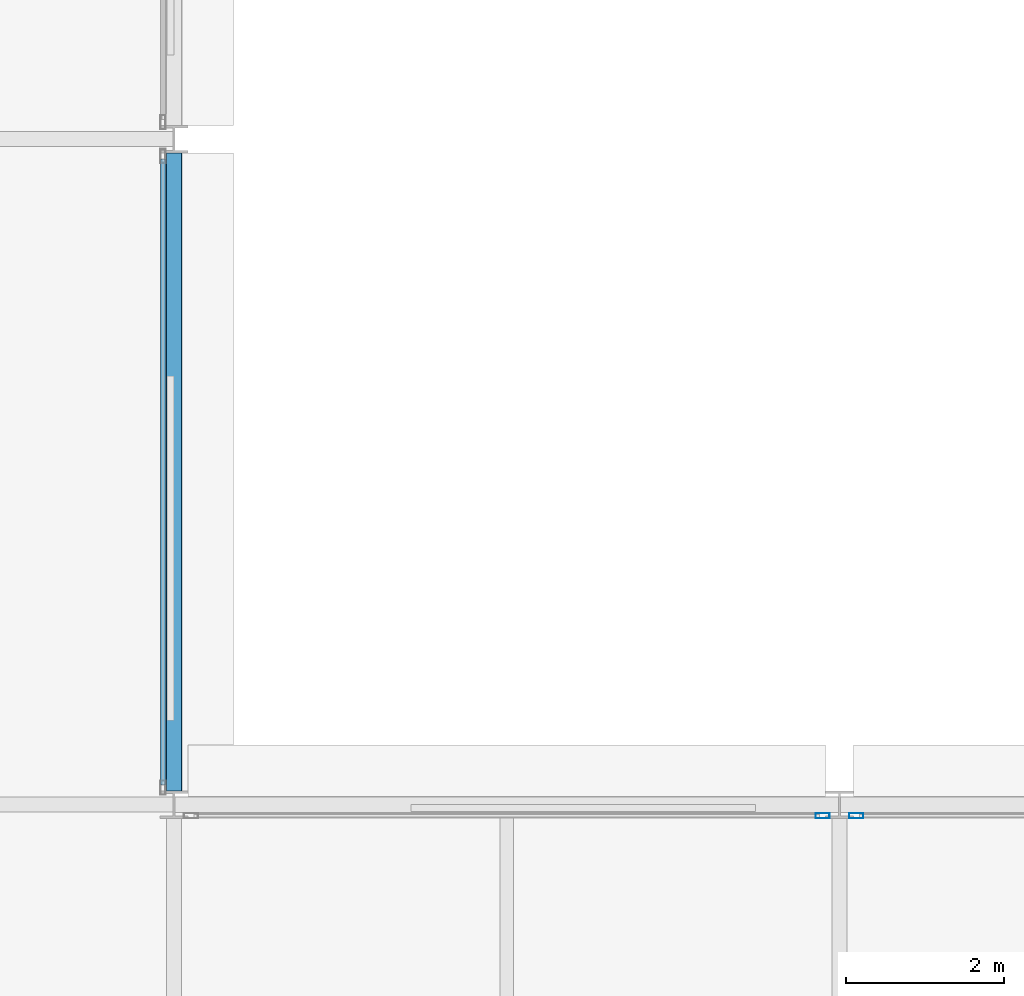
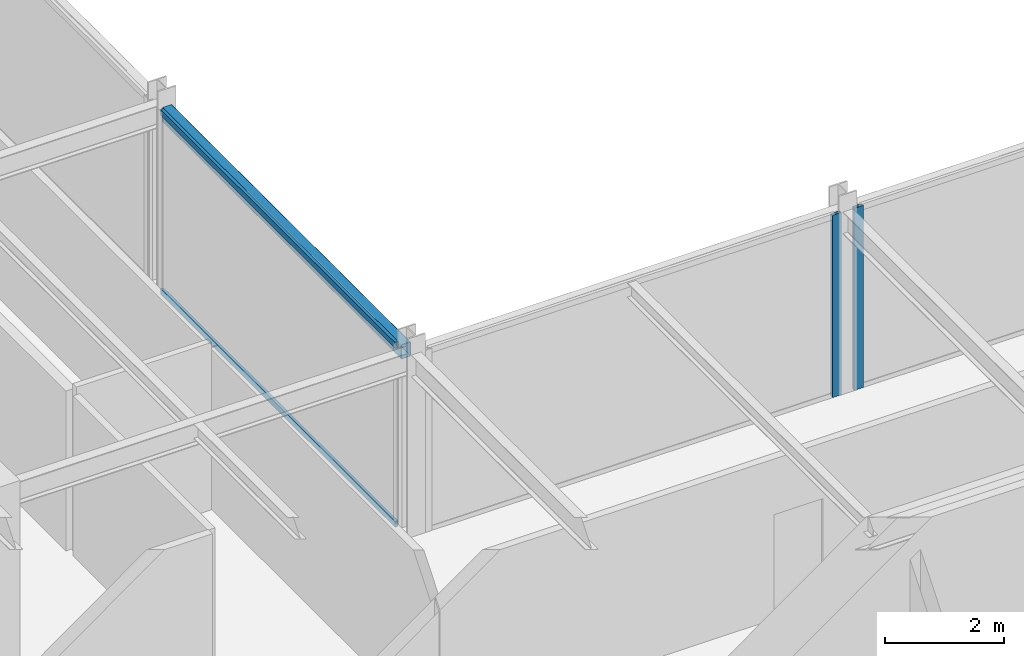
# One storey, part 15 of 30: 4 members, 1 beam, 3 elements without a shape of their own.
"""IFC4 building model written with IfcOpenShell, lengths in metres."""

from ifc_helpers import new_model, si_unit, direction, frame, origin, origin_2d, place, context, subcontext, project, spatial, hollow_rectangle, extrude, material, layer, layer_set, material_profile, profile_set, type_object, element, aggregate, save


model = new_model("IFC4")

# Units and contexts
model_context = context("Model", 3, precision=1e-05, world=origin(), true_north=direction((0.0, 1.0)))
body_context = subcontext(model_context, "Body", "Model", "MODEL_VIEW")
ifc_project = project(units=[si_unit("LENGTHUNIT", "METRE"), si_unit("AREAUNIT", "SQUARE_METRE"), si_unit("VOLUMEUNIT", "CUBIC_METRE"), si_unit("PLANEANGLEUNIT", "RADIAN"), si_unit("MASSUNIT", "GRAM", prefix="KILO")], contexts=[model_context])

# Site, building, storey
site_placement = place(None, origin())
site = spatial("IfcSite", under=ifc_project, at=site_placement, CompositionType="ELEMENT")
building_placement = place(site_placement, origin())
building = spatial("IfcBuilding", under=site, at=building_placement, Name="Nerrivon Quay Data Exchange", CompositionType="ELEMENT")
storey_placement = place(building_placement, frame((0.0, 0.0, 216.5)))
storey = spatial("IfcBuildingStorey", under=building, at=storey_placement, Name="L51", CompositionType="ELEMENT", Elevation=216.5)

# Beam
ifc_material_1 = material(Name="Steel Grade C350L0 (350 MPa)", Category="steel")
ifc_material_profile_1 = material_profile(ifc_material_1, hollow_rectangle(XDim=0.199951171875, YDim=0.300048828125, WallThickness=0.012451171875, InnerFilletRadius=0.018798828125, OuterFilletRadius=0.03125, at=origin_2d()), Name="300x200x12.5RHS")
ifc_profile_set_1 = profile_set([ifc_material_profile_1], Name="Steel Grade C350L0 (350 MPa)")
beam_type = type_object("IfcBeamType", Name="BM-SP3-300x200RHS", PredefinedType="SPANDREL", material=ifc_profile_set_1)
beam_placement = place(storey_placement, frame((25.199951171875, 25.375, 3.60009765625), z_axis=(0.0, 1.0, 0.0), x_axis=(-1.0, 0.0, 0.0)))
element("IfcBeam", 1, at=beam_placement, inside=storey, type_object=beam_type, Name="L51 NS Girder X=25.2 (25.2..33.6)", PredefinedType="SPANDREL", context=body_context, shape_type="SweptSolid", body=[
    extrude(hollow_rectangle(XDim=0.199951171875, YDim=0.300048828125, WallThickness=0.012451171875, InnerFilletRadius=0.018798828125, OuterFilletRadius=0.03125, at=origin_2d()), origin(), (0.0, 0.0, 1.0), 8.050048828125),
])

# Curtain wall, member
ifc_material_2 = material(Name="Anodised aluminium 6063-T6", Category="aluminium")
ifc_layer = layer(ifc_material_2, 0.195068359375)
ifc_layer_set = layer_set([ifc_layer], Name="Anodised aluminium 6063-T6")
curtain_wall_type = type_object("IfcCurtainWallType", Name="CW-SYS-06", PredefinedType="NOTDEFINED", material=ifc_layer_set)
curtain_wall_1_placement = place(storey_placement, origin())
curtain_wall_1 = element("IfcCurtainWall", 2, at=curtain_wall_1_placement, inside=storey, type_object=curtain_wall_type, Name="L51 Unitised Curtain Wall 16", PredefinedType="NOTDEFINED")
ifc_material_profile_2 = material_profile(ifc_material_2, hollow_rectangle(XDim=0.06494140625, YDim=0.179931640625, WallThickness=0.00341796875, at=origin_2d()), Name="ALU-MULL-180x65")
ifc_profile_set_2 = profile_set([ifc_material_profile_2], Name="Anodised aluminium 6063-T6")
member_type_1 = type_object("IfcMemberType", Name="CWM-180x65", PredefinedType="MULLION", material=ifc_profile_set_2)
member_1_placement = place(storey_placement, frame((33.387451171875, 25.06005859375, 0.0), z_axis=(0.0, 0.0, 1.0), x_axis=(0.0, 1.0, 0.0)))
member_1 = element("IfcMember", 3, at=member_1_placement, type_object=member_type_1, Name="CW06 mullion 2", PredefinedType="MULLION", context=body_context, shape_type="SweptSolid", body=[
    extrude(hollow_rectangle(XDim=0.06494140625, YDim=0.179931640625, WallThickness=0.00341796875, at=origin_2d()), origin(), (0.0, 0.0, 1.0), 3.75),
])
aggregate(curtain_wall_1, [member_1])

curtain_wall_2_placement = place(storey_placement, origin())
curtain_wall_2 = element("IfcCurtainWall", 4, at=curtain_wall_2_placement, inside=storey, type_object=curtain_wall_type, Name="L51 Unitised Curtain Wall 17", PredefinedType="NOTDEFINED")
member_2_placement = place(storey_placement, frame((33.8125, 25.06005859375, 0.0), z_axis=(0.0, 0.0, 1.0), x_axis=(0.0, 1.0, 0.0)))
member_2 = element("IfcMember", 5, at=member_2_placement, type_object=member_type_1, Name="CW06 mullion 1", PredefinedType="MULLION", context=body_context, shape_type="SweptSolid", body=[
    extrude(hollow_rectangle(XDim=0.06494140625, YDim=0.179931640625, WallThickness=0.00341796875, at=origin_2d()), origin(), (0.0, 0.0, 1.0), 3.75),
])
aggregate(curtain_wall_2, [member_2])

# Curtain wall, members
curtain_wall_3_placement = place(storey_placement, origin())
curtain_wall_3 = element("IfcCurtainWall", 6, at=curtain_wall_3_placement, inside=storey, type_object=curtain_wall_type, Name="L51 Unitised Curtain Wall 15", PredefinedType="NOTDEFINED")
ifc_material_profile_3 = material_profile(ifc_material_2, hollow_rectangle(XDim=0.06005859375, YDim=0.1201171875, WallThickness=0.003173828125, at=origin_2d()), Name="ALU-TRAN-120x60")
ifc_profile_set_3 = profile_set([ifc_material_profile_3], Name="Anodised aluminium 6063-T6")
member_type_2 = type_object("IfcMemberType", Name="CWT-120x60", PredefinedType="USERDEFINED", material=ifc_profile_set_3)
member_3_placement = place(storey_placement, frame((25.06005859375, 33.35009765625, 0.032470703125), z_axis=(0.0, -1.0, 0.0), x_axis=(1.0, 0.0, 0.0)))
member_3 = element("IfcMember", 7, at=member_3_placement, type_object=member_type_2, Name="CW06 transom 1.1", ObjectType="TRANSOM", PredefinedType="USERDEFINED", context=body_context, shape_type="SweptSolid", body=[
    extrude(hollow_rectangle(XDim=0.06005859375, YDim=0.1201171875, WallThickness=0.003173828125, at=origin_2d()), origin(), (0.0, 0.0, 1.0), 7.900146484375),
])
member_4_placement = place(storey_placement, frame((25.06005859375, 33.35009765625, 3.717529296875), z_axis=(0.0, -1.0, 0.0), x_axis=(1.0, 0.0, 0.0)))
member_4 = element("IfcMember", 8, at=member_4_placement, type_object=member_type_2, Name="CW06 transom 1.2", ObjectType="TRANSOM", PredefinedType="USERDEFINED", context=body_context, shape_type="SweptSolid", body=[
    extrude(hollow_rectangle(XDim=0.06005859375, YDim=0.1201171875, WallThickness=0.003173828125, at=origin_2d()), origin(), (0.0, 0.0, 1.0), 7.900146484375),
])
aggregate(curtain_wall_3, [member_3, member_4])

save(model, "model.ifc")
